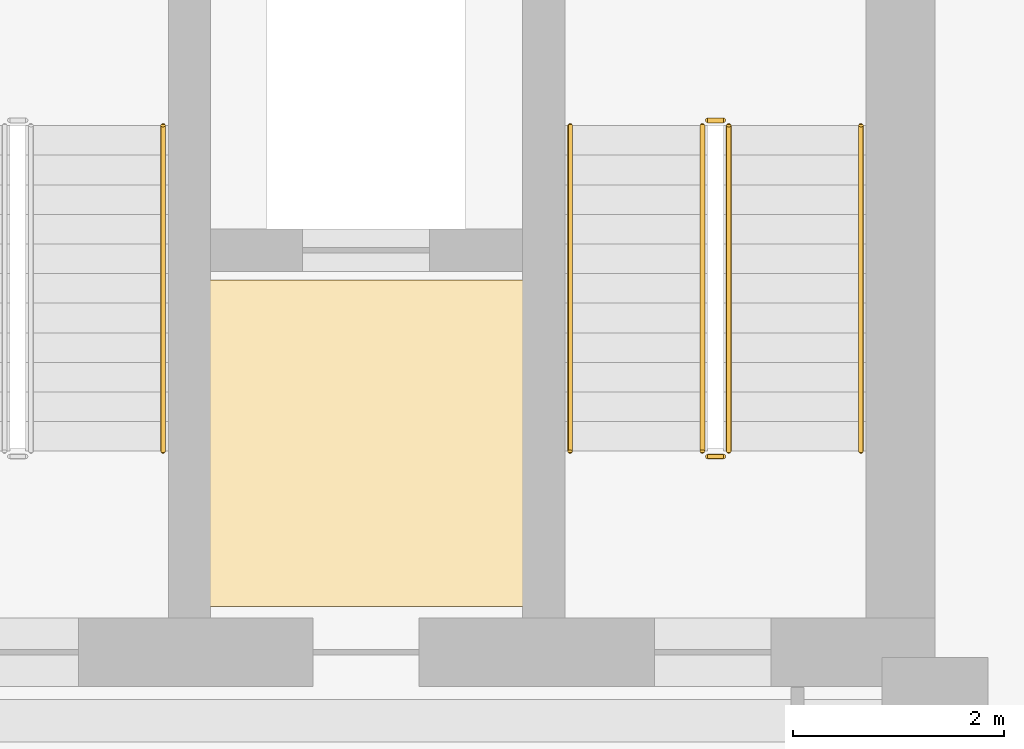
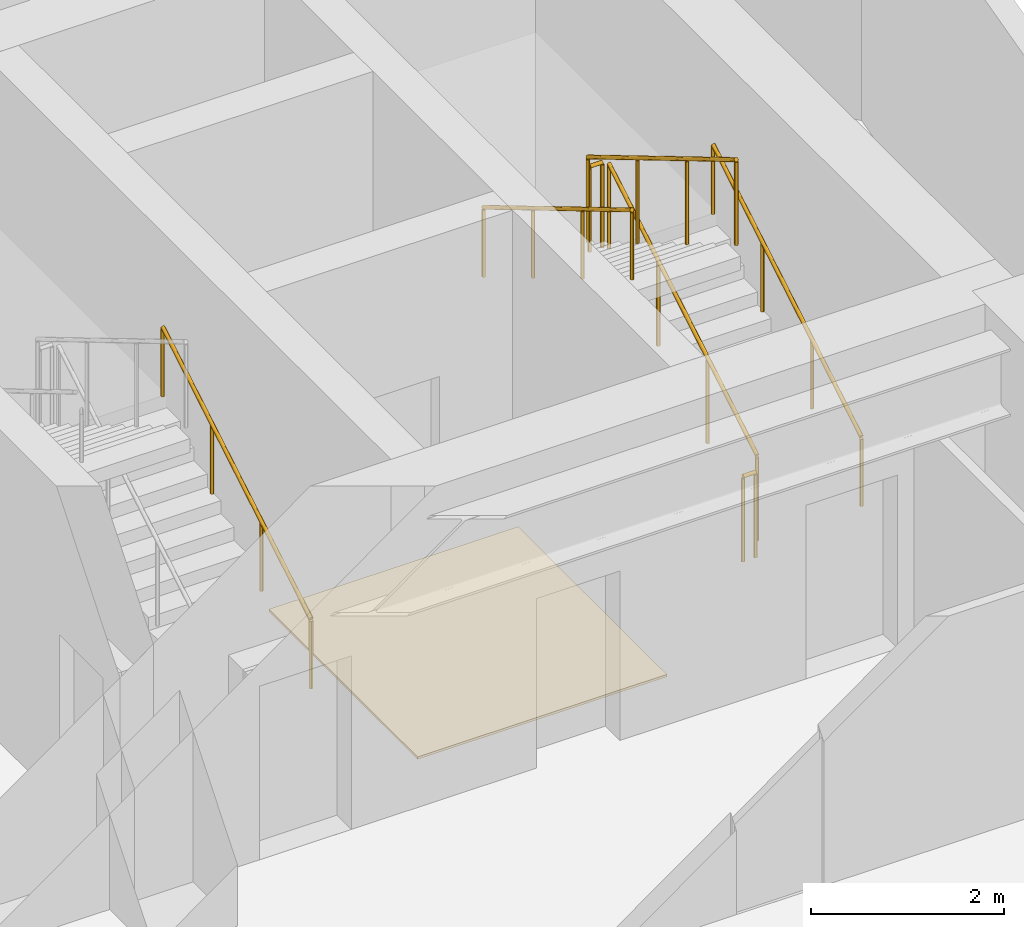
# One storey, part 26 of 26: 7 railings, 1 covering.
"""IFC4 building model written with IfcOpenShell, lengths in metres."""

from ifc_helpers import new_model, si_unit, direction, frame, origin, origin_2d, place, context, subcontext, project, spatial, polyline, circle, outline, extrude, material, layer, layer_set, type_object, element, save


model = new_model("IFC4")

# Units and contexts
model_context = context("Model", 3, precision=1e-05, world=origin(), true_north=direction((0.0, 1.0)))
body_context = subcontext(model_context, "Body", "Model", "MODEL_VIEW")
ifc_project = project(units=[si_unit("LENGTHUNIT", "METRE"), si_unit("AREAUNIT", "SQUARE_METRE"), si_unit("VOLUMEUNIT", "CUBIC_METRE"), si_unit("PLANEANGLEUNIT", "RADIAN"), si_unit("MASSUNIT", "GRAM", prefix="KILO")], contexts=[model_context])

# Site, building, storey
site_placement = place(None, origin())
site = spatial("IfcSite", under=ifc_project, at=site_placement, CompositionType="ELEMENT")
building_placement = place(site_placement, origin())
building = spatial("IfcBuilding", under=site, at=building_placement, Name="Kravanh Interchange Tower", CompositionType="ELEMENT")
storey_placement = place(building_placement, frame((0.0, 0.0, 100.0)))
storey = spatial("IfcBuildingStorey", under=building, at=storey_placement, Name="L23", CompositionType="ELEMENT", Elevation=100.0)

# Covering
ifc_material_1 = material(Name="Cementitious Terrazzo Tile")
ifc_layer_1 = layer(ifc_material_1, 0.030029296875)
ifc_layer_set_1 = layer_set([ifc_layer_1], Name="Honed Terrazzo Lobby Flooring 30mm")
covering_type = type_object("IfcCoveringType", Name="Honed Terrazzo Lobby Flooring 30mm", PredefinedType="FLOORING", material=ifc_layer_set_1)
covering_placement = place(storey_placement, origin())
element("IfcCovering", 1, at=covering_placement, inside=storey, type_object=covering_type, Name="L23 Service Lift Lobby Floor Finish", PredefinedType="FLOORING", context=body_context, shape_type="SweptSolid", body=[
    extrude(outline(polyline([(59.6298828125, 41.52001953125), (62.6201171875, 41.52001953125), (62.6201171875, 38.429931640625), (59.6298828125, 38.429931640625), (59.6298828125, 41.52001953125)])), origin(), (0.0, 0.0, 1.0), 0.030029296875),
])

# Railings
ifc_material_2 = material(Name="Structural Steel S355", Category="steel")
ifc_layer_2 = layer(ifc_material_2, 0.050048828125)
ifc_layer_set_2 = layer_set([ifc_layer_2], Name="Stair Well Guardrail Structural Steel S355 1100mm")
railing_type_1 = type_object("IfcRailingType", Name="Stair Well Guardrail Structural Steel S355 1100mm", PredefinedType="GUARDRAIL", material=ifc_layer_set_2)
railing_1_placement = place(storey_placement, frame((64.550048828125, 39.89990234375, 0.166748046875)))
element("IfcRailing", 2, at=railing_1_placement, inside=storey, type_object=railing_type_1, Name="L23 ST1 stair guard 1", PredefinedType="GUARDRAIL", context=body_context, shape_type="SweptSolid", body=[
    extrude(circle(Radius=0.02392578125, at=origin_2d()), frame((0.0, 0.0, 1.076171875), z_axis=(0.0, 0.859308565015, 0.511457515432), x_axis=(-1.0, 0.0, 0.0)), (0.0, 0.0, 1.0), 3.58447265625),
    extrude(circle(Radius=0.02099609375, at=origin_2d()), origin(), (0.0, 0.0, 1.0), 1.052001953125),
    extrude(circle(Radius=0.02099609375, at=origin_2d()), frame((0.0, 1.026611328125, 0.611083984375)), (0.0, 0.0, 1.0), 1.052001953125),
    extrude(circle(Radius=0.02099609375, at=origin_2d()), frame((0.0, 2.053466796875, 1.22216796875)), (0.0, 0.0, 1.0), 1.052001953125),
    extrude(circle(Radius=0.02099609375, at=origin_2d()), frame((0.0, 3.080078125, 1.833251953125)), (0.0, 0.0, 1.0), 1.052001953125),
])
railing_2_placement = place(storey_placement, frame((64.5, 43.030029296875, 2.0)))
element("IfcRailing", 3, at=railing_2_placement, inside=storey, type_object=railing_type_1, Name="L23 ST1 stair guard 2", PredefinedType="GUARDRAIL", context=body_context, shape_type="SweptSolid", body=[
    extrude(circle(Radius=0.02392578125, at=origin_2d()), frame((0.0, 0.0, 1.076171875), z_axis=(-1.0, 0.0, 0.0), x_axis=(0.0, -1.0, 0.0)), (0.0, 0.0, 1.0), 0.14990234375),
    extrude(circle(Radius=0.02099609375, at=origin_2d()), origin(), (0.0, 0.0, 1.0), 1.052001953125),
    extrude(circle(Radius=0.02099609375, at=origin_2d()), frame((-0.14990234375, 0.0, 0.0)), (0.0, 0.0, 1.0), 1.052001953125),
])
railing_3_placement = place(storey_placement, frame((64.300048828125, 42.97998046875, 2.166748046875)))
element("IfcRailing", 4, at=railing_3_placement, inside=storey, type_object=railing_type_1, Name="L23 ST1 stair guard 3", PredefinedType="GUARDRAIL", context=body_context, shape_type="SweptSolid", body=[
    extrude(circle(Radius=0.02392578125, at=origin_2d()), frame((0.0, 0.0, 1.076171875), z_axis=(0.0, -0.859308565015, 0.511457515432), x_axis=(1.0, 0.0, 0.0)), (0.0, 0.0, 1.0), 3.58447265625),
    extrude(circle(Radius=0.02099609375, at=origin_2d()), origin(), (0.0, 0.0, 1.0), 1.052001953125),
    extrude(circle(Radius=0.02099609375, at=origin_2d()), frame((0.0, -1.026611328125, 0.611083984375)), (0.0, 0.0, 1.0), 1.052001953125),
    extrude(circle(Radius=0.02099609375, at=origin_2d()), frame((0.0, -2.053466796875, 1.22216796875)), (0.0, 0.0, 1.0), 1.052001953125),
    extrude(circle(Radius=0.02099609375, at=origin_2d()), frame((0.0, -3.080078125, 1.833251953125)), (0.0, 0.0, 1.0), 1.052001953125),
])
railing_4_placement = place(storey_placement, frame((64.5, 39.85009765625, 0.0)))
element("IfcRailing", 5, at=railing_4_placement, inside=storey, type_object=railing_type_1, Name="L23 ST1 stair guard 4", PredefinedType="GUARDRAIL", context=body_context, shape_type="SweptSolid", body=[
    extrude(circle(Radius=0.02392578125, at=origin_2d()), frame((0.0, 0.0, 1.076171875), z_axis=(-1.0, 0.0, 0.0), x_axis=(0.0, -1.0, 0.0)), (0.0, 0.0, 1.0), 0.14990234375),
    extrude(circle(Radius=0.02099609375, at=origin_2d()), origin(), (0.0, 0.0, 1.0), 1.052001953125),
    extrude(circle(Radius=0.02099609375, at=origin_2d()), frame((-0.14990234375, 0.0, 0.0)), (0.0, 0.0, 1.0), 1.052001953125),
])
ifc_material_3 = material(Name="Stainless Steel 304", Category="steel")
ifc_layer_3 = layer(ifc_material_3, 0.044921875)
ifc_layer_set_3 = layer_set([ifc_layer_3], Name="Tubular Stair Handrail Stainless 304 900mm")
railing_type_2 = type_object("IfcRailingType", Name="Tubular Stair Handrail Stainless 304 900mm", PredefinedType="HANDRAIL", material=ifc_layer_set_3)
railing_5_placement = place(storey_placement, frame((65.800048828125, 39.89990234375, 0.166748046875)))
element("IfcRailing", 6, at=railing_5_placement, inside=storey, type_object=railing_type_2, Name="L23 ST1 stair handrail 1", PredefinedType="HANDRAIL", context=body_context, shape_type="SweptSolid", body=[
    extrude(circle(Radius=0.02392578125, at=origin_2d()), frame((0.0, 0.0, 0.8759765625), z_axis=(0.0, 0.859308565015, 0.511457515432), x_axis=(-1.0, 0.0, 0.0)), (0.0, 0.0, 1.0), 3.58447265625),
    extrude(circle(Radius=0.02099609375, at=origin_2d()), origin(), (0.0, 0.0, 1.0), 0.851806640625),
    extrude(circle(Radius=0.02099609375, at=origin_2d()), frame((0.0, 1.026611328125, 0.611083984375)), (0.0, 0.0, 1.0), 0.851806640625),
    extrude(circle(Radius=0.02099609375, at=origin_2d()), frame((0.0, 2.053466796875, 1.22216796875)), (0.0, 0.0, 1.0), 0.851806640625),
    extrude(circle(Radius=0.02099609375, at=origin_2d()), frame((0.0, 3.080078125, 1.833251953125)), (0.0, 0.0, 1.0), 0.851806640625),
])
railing_6_placement = place(storey_placement, frame((63.050048828125, 42.97998046875, 2.166748046875)))
element("IfcRailing", 7, at=railing_6_placement, inside=storey, type_object=railing_type_2, Name="L23 ST1 stair handrail 2", PredefinedType="HANDRAIL", context=body_context, shape_type="SweptSolid", body=[
    extrude(circle(Radius=0.02392578125, at=origin_2d()), frame((0.0, 0.0, 0.8759765625), z_axis=(0.0, -0.859308565015, 0.511457515432), x_axis=(1.0, 0.0, 0.0)), (0.0, 0.0, 1.0), 3.58447265625),
    extrude(circle(Radius=0.02099609375, at=origin_2d()), origin(), (0.0, 0.0, 1.0), 0.851806640625),
    extrude(circle(Radius=0.02099609375, at=origin_2d()), frame((0.0, -1.026611328125, 0.611083984375)), (0.0, 0.0, 1.0), 0.851806640625),
    extrude(circle(Radius=0.02099609375, at=origin_2d()), frame((0.0, -2.053466796875, 1.22216796875)), (0.0, 0.0, 1.0), 0.851806640625),
    extrude(circle(Radius=0.02099609375, at=origin_2d()), frame((0.0, -3.080078125, 1.833251953125)), (0.0, 0.0, 1.0), 0.851806640625),
])
railing_7_placement = place(storey_placement, frame((59.199951171875, 39.89990234375, 0.166748046875)))
element("IfcRailing", 8, at=railing_7_placement, inside=storey, type_object=railing_type_2, Name="L23 ST2 stair handrail 1", PredefinedType="HANDRAIL", context=body_context, shape_type="SweptSolid", body=[
    extrude(circle(Radius=0.02392578125, at=origin_2d()), frame((0.0, 0.0, 0.8759765625), z_axis=(0.0, 0.859308565015, 0.511457515432), x_axis=(-1.0, 0.0, 0.0)), (0.0, 0.0, 1.0), 3.58447265625),
    extrude(circle(Radius=0.02099609375, at=origin_2d()), origin(), (0.0, 0.0, 1.0), 0.851806640625),
    extrude(circle(Radius=0.02099609375, at=origin_2d()), frame((0.0, 1.026611328125, 0.611083984375)), (0.0, 0.0, 1.0), 0.851806640625),
    extrude(circle(Radius=0.02099609375, at=origin_2d()), frame((0.0, 2.053466796875, 1.22216796875)), (0.0, 0.0, 1.0), 0.851806640625),
    extrude(circle(Radius=0.02099609375, at=origin_2d()), frame((0.0, 3.080078125, 1.833251953125)), (0.0, 0.0, 1.0), 0.851806640625),
])

save(model, "model.ifc")
